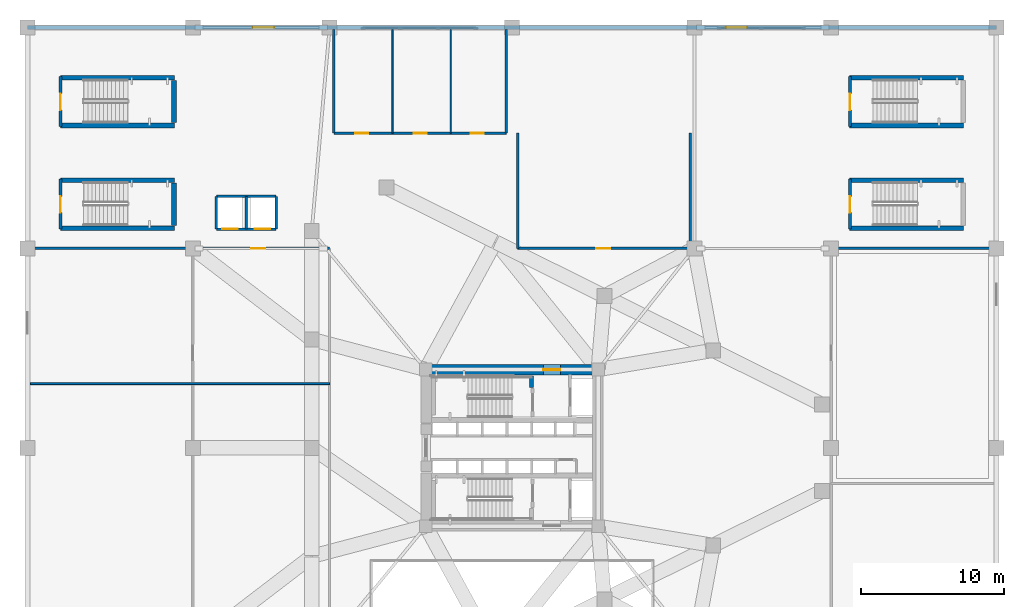
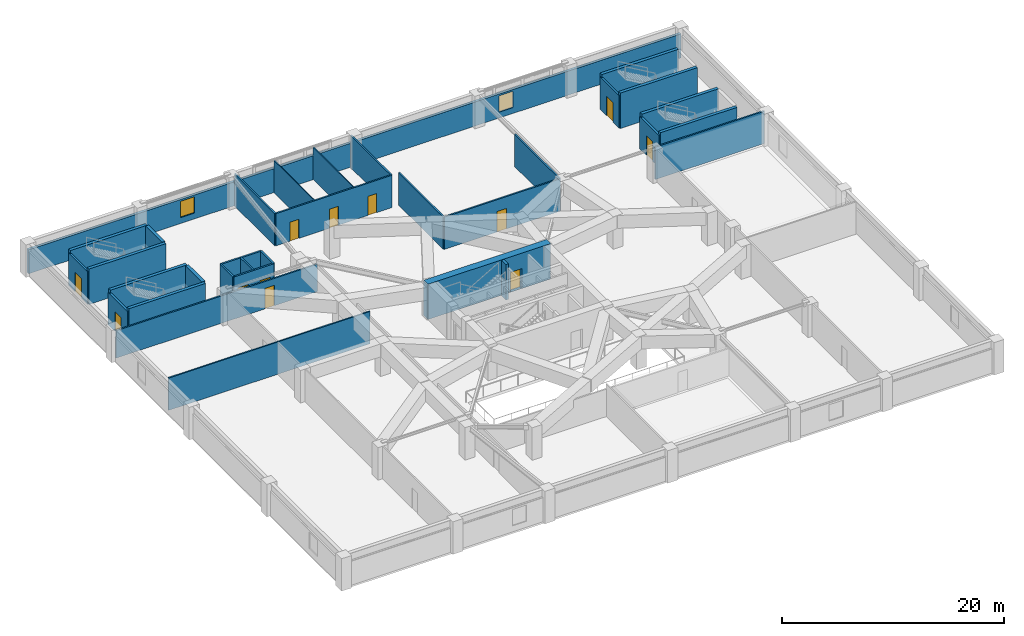
# One storey, part 7 of 16: 33 walls, 12 doors, 2 windows, 14 openings.
"""IFC4 building model written with IfcOpenShell, lengths in metres."""

from ifc_helpers import new_model, si_unit, direction, frame, frame_2d, origin, place, context, subcontext, project, spatial, rectangle, extrude, material, layer, layer_set, type_object, element, fill, save


model = new_model("IFC4")

# Units and contexts
model_context = context("Model", 3, precision=1e-05, world=origin(), true_north=direction((0.0, 1.0)))
body_context = subcontext(model_context, "Body", "Model", "MODEL_VIEW")
ifc_project = project(units=[si_unit("LENGTHUNIT", "METRE"), si_unit("AREAUNIT", "SQUARE_METRE"), si_unit("VOLUMEUNIT", "CUBIC_METRE"), si_unit("PLANEANGLEUNIT", "RADIAN"), si_unit("MASSUNIT", "GRAM", prefix="KILO")], contexts=[model_context])

# Site, building, storey
site_placement = place(None, origin())
site = spatial("IfcSite", under=ifc_project, at=site_placement, CompositionType="ELEMENT")
building_placement = place(site_placement, origin())
building = spatial("IfcBuilding", under=site, at=building_placement, Name="Yunling Apex Tower", CompositionType="ELEMENT")
storey_placement = place(building_placement, frame((0.0, 0.0, 16.199951171875)))
storey = spatial("IfcBuildingStorey", under=building, at=storey_placement, Name="L05", CompositionType="ELEMENT", Elevation=16.199951171875)

# Wall, opening, door
ifc_material_1 = material(Name="Concrete C60", Category="concrete")
ifc_layer_1 = layer(ifc_material_1, 0.75)
ifc_layer_set_1 = layer_set([ifc_layer_1], Name="Concrete C60")
wall_type_1 = type_object("IfcWallType", Name="WL-COR-1", PredefinedType="SHEAR", material=ifc_layer_set_1)
wall_1_placement = place(storey_placement, frame((-6.39990234375, 5.47509765625, 0.0), z_axis=(0.0, 0.0, 1.0), x_axis=(1.0, 0.0, 0.0)))
wall_1 = element("IfcWall", 1, at=wall_1_placement, inside=storey, type_object=wall_type_1, Name="L05 North Core Shear Wall", PredefinedType="SHEAR", context=body_context, shape_type="SweptSolid", body=[
    extrude(rectangle(XDim=12.7998046875, YDim=0.75, at=frame_2d((6.39990234375, 0.0))), origin(), (0.0, 0.0, 1.0), 3.900146484375),
])
opening_1_placement = place(wall_1_placement, frame((8.60009765625, 0.0, 0.0)))
opening_1 = element("IfcOpeningElement", 2, at=opening_1_placement, cuts=wall_1, Name="Opening DR-FFL-1", PredefinedType="OPENING", context=body_context, shape_type="SweptSolid", body=[
    extrude(rectangle(XDim=1.199951171875, YDim=2.199951171875, at=frame_2d((0.60009765625, 1.10009765625))), frame((0.0, 0.385009765625, 0.0), z_axis=(0.0, -1.0, 0.0), x_axis=(1.0, 0.0, 0.0)), (0.0, 0.0, 1.0), 0.77001953125),
])
ifc_material_2 = material(Name="Steel Q355B", Category="steel")
door_type_1 = type_object("IfcDoorType", Name="DR-FFL-1", OperationType="NOTDEFINED", PredefinedType="DOOR", material=ifc_material_2)
door_1_placement = place(opening_1_placement, origin())
door_1 = element("IfcDoor", 3, at=door_1_placement, inside=storey, type_object=door_type_1, Name="L05 North Firefighting Lobby Door", OperationType="SINGLE_SWING_LEFT", OverallHeight=2.199951171875, OverallWidth=1.199951171875, PredefinedType="DOOR", context=body_context, shape_type="SweptSolid", body=[
    extrude(rectangle(XDim=1.199951171875, YDim=2.199951171875, at=frame_2d((0.60009765625, 1.10009765625))), frame((0.0, 0.02490234375, 0.0), z_axis=(0.0, -1.0, 0.0), x_axis=(1.0, 0.0, 0.0)), (0.0, 0.0, 1.0), 0.050048828125),
])
fill(opening_1, door_1)

# Walls
ifc_material_3 = material(Name="Concrete C40", Category="concrete")
ifc_layer_2 = layer(ifc_material_3, 0.320068359375)
ifc_layer_set_2 = layer_set([ifc_layer_2], Name="Concrete C40")
wall_type_2 = type_object("IfcWallType", Name="WL-COR-7", PredefinedType="SHEAR", material=ifc_layer_set_2)
for number, where, z_axis, x_axis, name in (
    (4, (-31.699951171875, 18.780029296875, 0.0), (0.0, 0.0, 1.0), (1.0, 0.0, 0.0), "L05 STP1 North Bearing Wall"),
    (5, (-31.699951171875, 15.419921875, 0.0), (0.0, 0.0, 1.0), (1.0, 0.0, 0.0), "L05 STP1 South Bearing Wall"),
):
    element("IfcWall", number, at=place(storey_placement, frame(where, z_axis=z_axis, x_axis=x_axis)), inside=storey, type_object=wall_type_2, Name=name, PredefinedType="SHEAR", context=body_context, shape_type="SweptSolid", body=[
        extrude(rectangle(XDim=8.0, YDim=0.320068359375, at=frame_2d((4.0, 0.0))), origin(), (0.0, 0.0, 1.0), 3.900146484375),
    ])
wall_2_placement = place(storey_placement, frame((-23.719970703125, 15.6201171875, 0.0), z_axis=(0.0, 0.0, 1.0), x_axis=(0.0, 1.0, 0.0)))
element("IfcWall", 6, at=wall_2_placement, inside=storey, type_object=wall_type_2, Name="L05 STP1 Half-Landing Bearing Wall", PredefinedType="SHEAR", context=body_context, shape_type="SweptSolid", body=[
    extrude(rectangle(XDim=2.9599609375, YDim=0.320068359375, at=frame_2d((1.47998046875, 0.0))), origin(), (0.0, 0.0, 1.0), 3.900146484375),
])
for number, where, z_axis, x_axis, name in (
    (7, (23.699951171875, 18.780029296875, 0.0), (0.0, 0.0, 1.0), (1.0, 0.0, 0.0), "L05 STP2 North Bearing Wall"),
    (8, (23.699951171875, 15.419921875, 0.0), (0.0, 0.0, 1.0), (1.0, 0.0, 0.0), "L05 STP2 South Bearing Wall"),
    (9, (-31.699951171875, 25.97998046875, 0.0), (0.0, 0.0, 1.0), (1.0, 0.0, 0.0), "L05 STG1 North Bearing Wall"),
    (10, (-31.699951171875, 22.6201171875, 0.0), (0.0, 0.0, 1.0), (1.0, 0.0, 0.0), "L05 STG1 South Bearing Wall"),
):
    element("IfcWall", number, at=place(storey_placement, frame(where, z_axis=z_axis, x_axis=x_axis)), inside=storey, type_object=wall_type_2, Name=name, PredefinedType="SHEAR", context=body_context, shape_type="SweptSolid", body=[
        extrude(rectangle(XDim=8.0, YDim=0.320068359375, at=frame_2d((4.0, 0.0))), origin(), (0.0, 0.0, 1.0), 3.900146484375),
    ])
wall_3_placement = place(storey_placement, frame((-23.719970703125, 22.820068359375, 0.0), z_axis=(0.0, 0.0, 1.0), x_axis=(0.0, 1.0, 0.0)))
element("IfcWall", 11, at=wall_3_placement, inside=storey, type_object=wall_type_2, Name="L05 STG1 Half-Landing Bearing Wall", PredefinedType="SHEAR", context=body_context, shape_type="SweptSolid", body=[
    extrude(rectangle(XDim=2.9599609375, YDim=0.320068359375, at=frame_2d((1.47998046875, 0.0))), origin(), (0.0, 0.0, 1.0), 3.900146484375),
])
for number, where, z_axis, x_axis, name in (
    (12, (23.699951171875, 25.97998046875, 0.0), (0.0, 0.0, 1.0), (1.0, 0.0, 0.0), "L05 STG2 North Bearing Wall"),
    (13, (23.699951171875, 22.6201171875, 0.0), (0.0, 0.0, 1.0), (1.0, 0.0, 0.0), "L05 STG2 South Bearing Wall"),
):
    element("IfcWall", number, at=place(storey_placement, frame(where, z_axis=z_axis, x_axis=x_axis)), inside=storey, type_object=wall_type_2, Name=name, PredefinedType="SHEAR", context=body_context, shape_type="SweptSolid", body=[
        extrude(rectangle(XDim=8.0, YDim=0.320068359375, at=frame_2d((4.0, 0.0))), origin(), (0.0, 0.0, 1.0), 3.900146484375),
    ])
ifc_layer_3 = layer(ifc_material_3, 0.280029296875)
ifc_layer_set_3 = layer_set([ifc_layer_3], Name="Concrete C40")
wall_type_3 = type_object("IfcWallType", Name="WL-COR-8", PredefinedType="SHEAR", material=ifc_layer_set_3)
wall_4_placement = place(storey_placement, frame((1.3798828125, 4.25, 0.0), z_axis=(0.0, 0.0, 1.0), x_axis=(0.0, 1.0, 0.0)))
element("IfcWall", 14, at=wall_4_placement, inside=storey, type_object=wall_type_3, Name="L05 ST-1 East Landing Bearing Pier", PredefinedType="SHEAR", context=body_context, shape_type="SweptSolid", body=[
    extrude(rectangle(XDim=0.800048828125, YDim=0.280029296875, at=frame_2d((0.39990234375, 0.0))), origin(), (0.0, 0.0, 1.0), 3.900146484375),
])

# Wall, openings, windows
ifc_material_4 = material(Name="Precast concrete C40", Category="concrete")
ifc_layer_4 = layer(ifc_material_4, 0.280029296875)
ifc_layer_set_4 = layer_set([ifc_layer_4], Name="Precast concrete C40")
wall_type_4 = type_object("IfcWallType", Name="WL-EXT-2", PredefinedType="SOLIDWALL", material=ifc_layer_set_4)
wall_5_placement = place(storey_placement, frame((-34.0, 29.5, 0.0), z_axis=(0.0, 0.0, 1.0), x_axis=(1.0, 0.0, 0.0)))
wall_5 = element("IfcWall", 15, at=wall_5_placement, inside=storey, type_object=wall_type_4, Name="WL-POD-L05-N", PredefinedType="SOLIDWALL", context=body_context, shape_type="SweptSolid", body=[
    extrude(rectangle(XDim=68.0, YDim=0.280029296875, at=frame_2d((34.0, 0.0))), origin(), (0.0, 0.0, 1.0), 2.64013671875),
])
opening_2_placement = place(wall_5_placement, frame((15.800048828125, 0.0, 0.64990234375)))
opening_2 = element("IfcOpeningElement", 16, at=opening_2_placement, cuts=wall_5, Name="Opening WN-POD-3", PredefinedType="OPENING", context=body_context, shape_type="SweptSolid", body=[
    extrude(rectangle(XDim=1.5, YDim=1.800048828125, at=frame_2d((0.75, 0.89990234375))), frame((0.0, 0.14990234375, 0.0), z_axis=(0.0, -1.0, 0.0), x_axis=(1.0, 0.0, 0.0)), (0.0, 0.0, 1.0), 0.300048828125),
])
opening_3_placement = place(wall_5_placement, frame((49.0, 0.0, 0.64990234375)))
opening_3 = element("IfcOpeningElement", 17, at=opening_3_placement, cuts=wall_5, Name="Opening WN-POD-3", PredefinedType="OPENING", context=body_context, shape_type="SweptSolid", body=[
    extrude(rectangle(XDim=1.5, YDim=1.800048828125, at=frame_2d((0.75, 0.89990234375))), frame((0.0, 0.14990234375, 0.0), z_axis=(0.0, -1.0, 0.0), x_axis=(1.0, 0.0, 0.0)), (0.0, 0.0, 1.0), 0.300048828125),
])
ifc_material_5 = material(Name="Bronze tinted low-E glass", Category="glass")
window_type = type_object("IfcWindowType", Name="WN-POD-3", PartitioningType="SINGLE_PANEL", PredefinedType="WINDOW", material=ifc_material_5)
window_1_placement = place(opening_2_placement, origin())
window_1 = element("IfcWindow", 18, at=window_1_placement, inside=storey, type_object=window_type, Name="WN-L05-N-1", OverallHeight=1.800048828125, OverallWidth=1.5, PartitioningType="SINGLE_PANEL", PredefinedType="WINDOW", context=body_context, shape_type="SweptSolid", body=[
    extrude(rectangle(XDim=1.5, YDim=1.800048828125, at=frame_2d((0.75, 0.89990234375))), frame((0.0, 0.030029296875, 0.0), z_axis=(0.0, -1.0, 0.0), x_axis=(1.0, 0.0, 0.0)), (0.0, 0.0, 1.0), 0.06005859375),
])
fill(opening_2, window_1)
window_2_placement = place(opening_3_placement, origin())
window_2 = element("IfcWindow", 19, at=window_2_placement, inside=storey, type_object=window_type, Name="WN-L05-N-2", OverallHeight=1.800048828125, OverallWidth=1.5, PartitioningType="SINGLE_PANEL", PredefinedType="WINDOW", context=body_context, shape_type="SweptSolid", body=[
    extrude(rectangle(XDim=1.5, YDim=1.800048828125, at=frame_2d((0.75, 0.89990234375))), frame((0.0, 0.030029296875, 0.0), z_axis=(0.0, -1.0, 0.0), x_axis=(1.0, 0.0, 0.0)), (0.0, 0.0, 1.0), 0.06005859375),
])
fill(opening_3, window_2)

# Wall, openings, doors
ifc_material_6 = material(Name="Gypsum board acoustic partition")
ifc_layer_5 = layer(ifc_material_6, 0.159912109375)
ifc_layer_set_5 = layer_set([ifc_layer_5], Name="Gypsum board acoustic partition")
wall_type_5 = type_object("IfcWallType", Name="WL-PRT-1", PredefinedType="PARTITIONING", material=ifc_layer_set_5)
wall_6_placement = place(storey_placement, frame((-12.5, 22.080078125, 0.0), z_axis=(0.0, 0.0, 1.0), x_axis=(1.0, 0.0, 0.0)))
wall_6 = element("IfcWall", 20, at=wall_6_placement, inside=storey, type_object=wall_type_5, Name="WL-L05-WCS", PredefinedType="PARTITIONING", context=body_context, shape_type="SweptSolid", body=[
    extrude(rectangle(XDim=12.10009765625, YDim=0.159912109375, at=frame_2d((6.050048828125, 0.0))), origin(), (0.0, 0.0, 1.0), 3.56005859375),
])
opening_4_placement = place(wall_6_placement, frame((1.5, 0.0, 0.0)))
opening_4 = element("IfcOpeningElement", 21, at=opening_4_placement, cuts=wall_6, Name="Opening DR-WC-1", PredefinedType="OPENING", context=body_context, shape_type="SweptSolid", body=[
    extrude(rectangle(XDim=0.919921875, YDim=2.10009765625, at=frame_2d((0.4599609375, 1.050048828125))), frame((0.0, 0.08984375, 0.0), z_axis=(0.0, -1.0, 0.0), x_axis=(1.0, 0.0, 0.0)), (0.0, 0.0, 1.0), 0.179931640625),
])
opening_5_placement = place(wall_6_placement, frame((5.60009765625, 0.0, 0.0)))
opening_5 = element("IfcOpeningElement", 22, at=opening_5_placement, cuts=wall_6, Name="Opening DR-WC-1", PredefinedType="OPENING", context=body_context, shape_type="SweptSolid", body=[
    extrude(rectangle(XDim=0.919921875, YDim=2.10009765625, at=frame_2d((0.4599609375, 1.050048828125))), frame((0.0, 0.08984375, 0.0), z_axis=(0.0, -1.0, 0.0), x_axis=(1.0, 0.0, 0.0)), (0.0, 0.0, 1.0), 0.179931640625),
])
opening_6_placement = place(wall_6_placement, frame((9.60009765625, 0.0, 0.0)))
opening_6 = element("IfcOpeningElement", 23, at=opening_6_placement, cuts=wall_6, Name="Opening DR-WC-1", PredefinedType="OPENING", context=body_context, shape_type="SweptSolid", body=[
    extrude(rectangle(XDim=0.919921875, YDim=2.10009765625, at=frame_2d((0.4599609375, 1.050048828125))), frame((0.0, 0.08984375, 0.0), z_axis=(0.0, -1.0, 0.0), x_axis=(1.0, 0.0, 0.0)), (0.0, 0.0, 1.0), 0.179931640625),
])
ifc_material_7 = material(Name="Timber moisture-resistant leaf", Category="wood")
door_type_2 = type_object("IfcDoorType", Name="DR-WC-1", OperationType="NOTDEFINED", PredefinedType="DOOR", material=ifc_material_7)
door_2_placement = place(opening_4_placement, origin())
door_2 = element("IfcDoor", 24, at=door_2_placement, inside=storey, type_object=door_type_2, Name="L05 Male Toilet Door", OperationType="SINGLE_SWING_RIGHT", OverallHeight=2.10009765625, OverallWidth=0.919921875, PredefinedType="DOOR", context=body_context, shape_type="SweptSolid", body=[
    extrude(rectangle(XDim=0.919921875, YDim=2.10009765625, at=frame_2d((0.4599609375, 1.050048828125))), frame((0.0, 0.02490234375, 0.0), z_axis=(0.0, -1.0, 0.0), x_axis=(1.0, 0.0, 0.0)), (0.0, 0.0, 1.0), 0.050048828125),
])
fill(opening_4, door_2)
door_3_placement = place(opening_5_placement, origin())
door_3 = element("IfcDoor", 25, at=door_3_placement, inside=storey, type_object=door_type_2, Name="L05 Female Toilet Door", OperationType="SINGLE_SWING_LEFT", OverallHeight=2.10009765625, OverallWidth=0.919921875, PredefinedType="DOOR", context=body_context, shape_type="SweptSolid", body=[
    extrude(rectangle(XDim=0.919921875, YDim=2.10009765625, at=frame_2d((0.4599609375, 1.050048828125))), frame((0.0, 0.02490234375, 0.0), z_axis=(0.0, -1.0, 0.0), x_axis=(1.0, 0.0, 0.0)), (0.0, 0.0, 1.0), 0.050048828125),
])
fill(opening_5, door_3)
door_4_placement = place(opening_6_placement, origin())
door_4 = element("IfcDoor", 26, at=door_4_placement, inside=storey, type_object=door_type_2, Name="L05 Accessible WC Door", OperationType="SINGLE_SWING_RIGHT", OverallHeight=2.10009765625, OverallWidth=0.919921875, PredefinedType="DOOR", context=body_context, shape_type="SweptSolid", body=[
    extrude(rectangle(XDim=0.919921875, YDim=2.10009765625, at=frame_2d((0.4599609375, 1.050048828125))), frame((0.0, 0.02490234375, 0.0), z_axis=(0.0, -1.0, 0.0), x_axis=(1.0, 0.0, 0.0)), (0.0, 0.0, 1.0), 0.050048828125),
])
fill(opening_6, door_4)

# Walls
for number, where, z_axis, x_axis, name in (
    (27, (-12.5, 22.080078125, 0.0), (0.0, 0.0, 1.0), (0.0, 1.0, 0.0), "WL-L05-WCW"),
    (28, (-0.39990234375, 22.080078125, 0.0), (0.0, 0.0, 1.0), (0.0, 1.0, 0.0), "WL-L05-WCE"),
):
    element("IfcWall", number, at=place(storey_placement, frame(where, z_axis=z_axis, x_axis=x_axis)), inside=storey, type_object=wall_type_5, Name=name, PredefinedType="PARTITIONING", context=body_context, shape_type="SweptSolid", body=[
        extrude(rectangle(XDim=7.27001953125, YDim=0.159912109375, at=frame_2d((3.635009765625, 0.0))), origin(), (0.0, 0.0, 1.0), 3.56005859375),
    ])

# Wall, opening, door
wall_7_placement = place(storey_placement, frame((-33.800048828125, 14.0, 0.0), z_axis=(0.0, 0.0, 1.0), x_axis=(1.0, 0.0, 0.0)))
wall_7 = element("IfcWall", 29, at=wall_7_placement, inside=storey, type_object=wall_type_5, Name="WL-L05-WN", PredefinedType="PARTITIONING", context=body_context, shape_type="SweptSolid", body=[
    extrude(rectangle(XDim=21.0, YDim=0.159912109375, at=frame_2d((10.5, 0.0))), origin(), (0.0, 0.0, 1.0), 3.01513671875),
])
opening_7_placement = place(wall_7_placement, frame((15.5, 0.0, 0.0)))
opening_7 = element("IfcOpeningElement", 30, at=opening_7_placement, cuts=wall_7, Name="Opening DR-OFF-1", PredefinedType="OPENING", context=body_context, shape_type="SweptSolid", body=[
    extrude(rectangle(XDim=1.0, YDim=2.25, at=frame_2d((0.5, 1.125))), frame((0.0, 0.08984375, 0.0), z_axis=(0.0, -1.0, 0.0), x_axis=(1.0, 0.0, 0.0)), (0.0, 0.0, 1.0), 0.179931640625),
])
ifc_material_8 = material(Name="Bronze anodised aluminium", Category="aluminium")
door_type_3 = type_object("IfcDoorType", Name="DR-OFF-1", OperationType="NOTDEFINED", PredefinedType="DOOR", material=ifc_material_8)
door_5_placement = place(opening_7_placement, origin())
door_5 = element("IfcDoor", 31, at=door_5_placement, inside=storey, type_object=door_type_3, Name="L05 Private Banquet Dining Hall Door", OperationType="SINGLE_SWING_RIGHT", OverallHeight=2.25, OverallWidth=1.0, PredefinedType="DOOR", context=body_context, shape_type="SweptSolid", body=[
    extrude(rectangle(XDim=1.0, YDim=2.25, at=frame_2d((0.5, 1.125))), frame((0.0, 0.02490234375, 0.0), z_axis=(0.0, -1.0, 0.0), x_axis=(1.0, 0.0, 0.0)), (0.0, 0.0, 1.0), 0.050048828125),
])
fill(opening_7, door_5)

# Wall
wall_8_placement = place(storey_placement, frame((22.39990234375, 14.0, 0.0), z_axis=(0.0, 0.0, 1.0), x_axis=(1.0, 0.0, 0.0)))
element("IfcWall", 32, at=wall_8_placement, inside=storey, type_object=wall_type_5, Name="WL-L05-EN", PredefinedType="PARTITIONING", context=body_context, shape_type="SweptSolid", body=[
    extrude(rectangle(XDim=11.400146484375, YDim=0.159912109375, at=frame_2d((5.7001953125, 0.0))), origin(), (0.0, 0.0, 1.0), 3.56005859375),
])

# Wall, opening, door
wall_9_placement = place(storey_placement, frame((0.39990234375, 14.0, 0.0), z_axis=(0.0, 0.0, 1.0), x_axis=(1.0, 0.0, 0.0)))
wall_9 = element("IfcWall", 33, at=wall_9_placement, inside=storey, type_object=wall_type_5, Name="WL-L05-NCS", PredefinedType="PARTITIONING", context=body_context, shape_type="SweptSolid", body=[
    extrude(rectangle(XDim=12.10009765625, YDim=0.159912109375, at=frame_2d((6.050048828125, 0.0))), origin(), (0.0, 0.0, 1.0), 3.56005859375),
])
opening_8_placement = place(wall_9_placement, frame((5.5, 0.0, 0.0)))
opening_8 = element("IfcOpeningElement", 34, at=opening_8_placement, cuts=wall_9, Name="Opening DR-OFF-1", PredefinedType="OPENING", context=body_context, shape_type="SweptSolid", body=[
    extrude(rectangle(XDim=1.0, YDim=2.25, at=frame_2d((0.5, 1.125))), frame((0.0, 0.08984375, 0.0), z_axis=(0.0, -1.0, 0.0), x_axis=(1.0, 0.0, 0.0)), (0.0, 0.0, 1.0), 0.179931640625),
])
door_6_placement = place(opening_8_placement, origin())
door_6 = element("IfcDoor", 35, at=door_6_placement, inside=storey, type_object=door_type_3, Name="L05 North Suite Door", OperationType="SINGLE_SWING_LEFT", OverallHeight=2.25, OverallWidth=1.0, PredefinedType="DOOR", context=body_context, shape_type="SweptSolid", body=[
    extrude(rectangle(XDim=1.0, YDim=2.25, at=frame_2d((0.5, 1.125))), frame((0.0, 0.02490234375, 0.0), z_axis=(0.0, -1.0, 0.0), x_axis=(1.0, 0.0, 0.0)), (0.0, 0.0, 1.0), 0.050048828125),
])
fill(opening_8, door_6)

# Walls
for number, where, z_axis, x_axis, name in (
    (36, (0.39990234375, 14.0, 0.0), (0.0, 0.0, 1.0), (0.0, 1.0, 0.0), "WL-L05-NCW"),
    (37, (12.5, 14.0, 0.0), (0.0, 0.0, 1.0), (0.0, 1.0, 0.0), "WL-L05-NCE"),
):
    element("IfcWall", number, at=place(storey_placement, frame(where, z_axis=z_axis, x_axis=x_axis)), inside=storey, type_object=wall_type_5, Name=name, PredefinedType="PARTITIONING", context=body_context, shape_type="SweptSolid", body=[
        extrude(rectangle(XDim=8.080078125, YDim=0.159912109375, at=frame_2d((4.0400390625, 0.0))), origin(), (0.0, 0.0, 1.0), 3.56005859375),
    ])
ifc_layer_6 = layer(ifc_material_6, 0.139892578125)
ifc_layer_set_6 = layer_set([ifc_layer_6], Name="Gypsum board acoustic partition")
wall_type_6 = type_object("IfcWallType", Name="WL-PRT-2", PredefinedType="PARTITIONING", material=ifc_layer_set_6)
wall_10_placement = place(storey_placement, frame((-33.800048828125, 4.5, 0.0), z_axis=(0.0, 0.0, 1.0), x_axis=(1.0, 0.0, 0.0)))
element("IfcWall", 38, at=wall_10_placement, inside=storey, type_object=wall_type_6, Name="WL-L05-WM", PredefinedType="PARTITIONING", context=body_context, shape_type="SweptSolid", body=[
    extrude(rectangle(XDim=21.0, YDim=0.139892578125, at=frame_2d((10.5, 0.0))), origin(), (0.0, 0.0, 1.0), 3.56005859375),
])
ifc_layer_7 = layer(ifc_material_6, 0.10009765625)
ifc_layer_set_7 = layer_set([ifc_layer_7], Name="Gypsum board acoustic partition")
wall_type_7 = type_object("IfcWallType", Name="WL-PRT-4", PredefinedType="PARTITIONING", material=ifc_layer_set_7)
for number, where, z_axis, x_axis, name in (
    (39, (-8.39990234375, 22.080078125, 0.0), (0.0, 0.0, 1.0), (0.0, 1.0, 0.0), "WL-L05-WCD1"),
    (40, (-4.300048828125, 22.080078125, 0.0), (0.0, 0.0, 1.0), (0.0, 1.0, 0.0), "WL-L05-WCD2"),
):
    element("IfcWall", number, at=place(storey_placement, frame(where, z_axis=z_axis, x_axis=x_axis)), inside=storey, type_object=wall_type_7, Name=name, PredefinedType="PARTITIONING", context=body_context, shape_type="SweptSolid", body=[
        extrude(rectangle(XDim=7.27001953125, YDim=0.10009765625, at=frame_2d((3.635009765625, 0.0))), origin(), (0.0, 0.0, 1.0), 3.56005859375),
    ])

# Wall, opening, door
ifc_material_9 = material(Name="Autoclaved aerated concrete masonry", Category="masonry")
ifc_layer_8 = layer(ifc_material_9, 0.219970703125)
ifc_layer_set_8 = layer_set([ifc_layer_8], Name="Autoclaved aerated concrete masonry")
wall_type_8 = type_object("IfcWallType", Name="WL-SHF-1", PredefinedType="PLUMBINGWALL", material=ifc_layer_set_8)
wall_11_placement = place(storey_placement, frame((-31.679931640625, 15.35009765625, 0.0), z_axis=(0.0, 0.0, 1.0), x_axis=(0.0, 1.0, 0.0)))
wall_11 = element("IfcWall", 41, at=wall_11_placement, inside=storey, type_object=wall_type_8, Name="WL-STP1-W-L05", PredefinedType="PLUMBINGWALL", context=body_context, shape_type="SweptSolid", body=[
    extrude(rectangle(XDim=3.5, YDim=0.219970703125, at=frame_2d((1.75, 0.0))), origin(), (0.0, 0.0, 1.0), 3.56005859375),
])
opening_9_placement = place(wall_11_placement, frame((1.14990234375, 0.0, 0.0)))
opening_9 = element("IfcOpeningElement", 42, at=opening_9_placement, cuts=wall_11, Name="Opening DR-ST-1", PredefinedType="OPENING", context=body_context, shape_type="SweptSolid", body=[
    extrude(rectangle(XDim=1.14990234375, YDim=2.14990234375, at=frame_2d((0.574951171875, 1.074951171875))), frame((0.0, 0.1201171875, 0.0), z_axis=(0.0, -1.0, 0.0), x_axis=(1.0, 0.0, 0.0)), (0.0, 0.0, 1.0), 0.239990234375),
])
door_type_4 = type_object("IfcDoorType", Name="DR-ST-1", OperationType="NOTDEFINED", PredefinedType="DOOR", material=ifc_material_2)
door_7_placement = place(opening_9_placement, origin())
door_7 = element("IfcDoor", 43, at=door_7_placement, inside=storey, type_object=door_type_4, Name="L05 Stair ST-P1 Door", OperationType="SINGLE_SWING_RIGHT", OverallHeight=2.14990234375, OverallWidth=1.14990234375, PredefinedType="DOOR", context=body_context, shape_type="SweptSolid", body=[
    extrude(rectangle(XDim=1.14990234375, YDim=2.14990234375, at=frame_2d((0.574951171875, 1.074951171875))), frame((0.0, 0.02490234375, 0.0), z_axis=(0.0, -1.0, 0.0), x_axis=(1.0, 0.0, 0.0)), (0.0, 0.0, 1.0), 0.050048828125),
])
fill(opening_9, door_7)

wall_12_placement = place(storey_placement, frame((23.719970703125, 15.35009765625, 0.0), z_axis=(0.0, 0.0, 1.0), x_axis=(0.0, 1.0, 0.0)))
wall_12 = element("IfcWall", 44, at=wall_12_placement, inside=storey, type_object=wall_type_8, Name="WL-STP2-W-L05", PredefinedType="PLUMBINGWALL", context=body_context, shape_type="SweptSolid", body=[
    extrude(rectangle(XDim=3.5, YDim=0.219970703125, at=frame_2d((1.75, 0.0))), origin(), (0.0, 0.0, 1.0), 3.56005859375),
])
opening_10_placement = place(wall_12_placement, frame((1.14990234375, 0.0, 0.0)))
opening_10 = element("IfcOpeningElement", 45, at=opening_10_placement, cuts=wall_12, Name="Opening DR-ST-1", PredefinedType="OPENING", context=body_context, shape_type="SweptSolid", body=[
    extrude(rectangle(XDim=1.14990234375, YDim=2.14990234375, at=frame_2d((0.574951171875, 1.074951171875))), frame((0.0, 0.1201171875, 0.0), z_axis=(0.0, -1.0, 0.0), x_axis=(1.0, 0.0, 0.0)), (0.0, 0.0, 1.0), 0.239990234375),
])
door_8_placement = place(opening_10_placement, origin())
door_8 = element("IfcDoor", 46, at=door_8_placement, inside=storey, type_object=door_type_4, Name="L05 Stair ST-P2 Door", OperationType="SINGLE_SWING_LEFT", OverallHeight=2.14990234375, OverallWidth=1.14990234375, PredefinedType="DOOR", context=body_context, shape_type="SweptSolid", body=[
    extrude(rectangle(XDim=1.14990234375, YDim=2.14990234375, at=frame_2d((0.574951171875, 1.074951171875))), frame((0.0, 0.02490234375, 0.0), z_axis=(0.0, -1.0, 0.0), x_axis=(1.0, 0.0, 0.0)), (0.0, 0.0, 1.0), 0.050048828125),
])
fill(opening_10, door_8)

wall_13_placement = place(storey_placement, frame((-31.679931640625, 22.550048828125, 0.0), z_axis=(0.0, 0.0, 1.0), x_axis=(0.0, 1.0, 0.0)))
wall_13 = element("IfcWall", 47, at=wall_13_placement, inside=storey, type_object=wall_type_8, Name="WL-STG1-W-L05", PredefinedType="PLUMBINGWALL", context=body_context, shape_type="SweptSolid", body=[
    extrude(rectangle(XDim=3.5, YDim=0.219970703125, at=frame_2d((1.75, 0.0))), origin(), (0.0, 0.0, 1.0), 3.56005859375),
])
opening_11_placement = place(wall_13_placement, frame((1.14990234375, 0.0, 0.0)))
opening_11 = element("IfcOpeningElement", 48, at=opening_11_placement, cuts=wall_13, Name="Opening DR-ST-1", PredefinedType="OPENING", context=body_context, shape_type="SweptSolid", body=[
    extrude(rectangle(XDim=1.14990234375, YDim=2.14990234375, at=frame_2d((0.574951171875, 1.074951171875))), frame((0.0, 0.1201171875, 0.0), z_axis=(0.0, -1.0, 0.0), x_axis=(1.0, 0.0, 0.0)), (0.0, 0.0, 1.0), 0.239990234375),
])
door_9_placement = place(opening_11_placement, origin())
door_9 = element("IfcDoor", 49, at=door_9_placement, inside=storey, type_object=door_type_4, Name="L05 Garden Stair ST-G1 Door", OperationType="SINGLE_SWING_RIGHT", OverallHeight=2.14990234375, OverallWidth=1.14990234375, PredefinedType="DOOR", context=body_context, shape_type="SweptSolid", body=[
    extrude(rectangle(XDim=1.14990234375, YDim=2.14990234375, at=frame_2d((0.574951171875, 1.074951171875))), frame((0.0, 0.02490234375, 0.0), z_axis=(0.0, -1.0, 0.0), x_axis=(1.0, 0.0, 0.0)), (0.0, 0.0, 1.0), 0.050048828125),
])
fill(opening_11, door_9)

wall_14_placement = place(storey_placement, frame((23.719970703125, 22.550048828125, 0.0), z_axis=(0.0, 0.0, 1.0), x_axis=(0.0, 1.0, 0.0)))
wall_14 = element("IfcWall", 50, at=wall_14_placement, inside=storey, type_object=wall_type_8, Name="WL-STG2-W-L05", PredefinedType="PLUMBINGWALL", context=body_context, shape_type="SweptSolid", body=[
    extrude(rectangle(XDim=3.5, YDim=0.219970703125, at=frame_2d((1.75, 0.0))), origin(), (0.0, 0.0, 1.0), 3.56005859375),
])
opening_12_placement = place(wall_14_placement, frame((1.14990234375, 0.0, 0.0)))
opening_12 = element("IfcOpeningElement", 51, at=opening_12_placement, cuts=wall_14, Name="Opening DR-ST-1", PredefinedType="OPENING", context=body_context, shape_type="SweptSolid", body=[
    extrude(rectangle(XDim=1.14990234375, YDim=2.14990234375, at=frame_2d((0.574951171875, 1.074951171875))), frame((0.0, 0.1201171875, 0.0), z_axis=(0.0, -1.0, 0.0), x_axis=(1.0, 0.0, 0.0)), (0.0, 0.0, 1.0), 0.239990234375),
])
door_10_placement = place(opening_12_placement, origin())
door_10 = element("IfcDoor", 52, at=door_10_placement, inside=storey, type_object=door_type_4, Name="L05 Garden Stair ST-G2 Door", OperationType="SINGLE_SWING_LEFT", OverallHeight=2.14990234375, OverallWidth=1.14990234375, PredefinedType="DOOR", context=body_context, shape_type="SweptSolid", body=[
    extrude(rectangle(XDim=1.14990234375, YDim=2.14990234375, at=frame_2d((0.574951171875, 1.074951171875))), frame((0.0, 0.02490234375, 0.0), z_axis=(0.0, -1.0, 0.0), x_axis=(1.0, 0.0, 0.0)), (0.0, 0.0, 1.0), 0.050048828125),
])
fill(opening_12, door_10)

# Wall, openings, doors
ifc_layer_9 = layer(ifc_material_9, 0.179931640625)
ifc_layer_set_9 = layer_set([ifc_layer_9], Name="Autoclaved aerated concrete masonry")
wall_type_9 = type_object("IfcWallType", Name="WL-SHF-2", PredefinedType="PLUMBINGWALL", material=ifc_layer_set_9)
wall_15_placement = place(storey_placement, frame((-20.75, 15.35009765625, 0.0), z_axis=(0.0, 0.0, 1.0), x_axis=(1.0, 0.0, 0.0)))
wall_15 = element("IfcWall", 53, at=wall_15_placement, inside=storey, type_object=wall_type_9, Name="WL-PLP-S-L05", PredefinedType="PLUMBINGWALL", context=body_context, shape_type="SweptSolid", body=[
    extrude(rectangle(XDim=4.199951171875, YDim=0.179931640625, at=frame_2d((2.10009765625, 0.0))), origin(), (0.0, 0.0, 1.0), 3.56005859375),
])
opening_13_placement = place(wall_15_placement, frame((0.39990234375, 0.0, 0.0)))
opening_13 = element("IfcOpeningElement", 54, at=opening_13_placement, cuts=wall_15, Name="Opening LD-PAS-1", PredefinedType="OPENING", context=body_context, shape_type="SweptSolid", body=[
    extrude(rectangle(XDim=1.10009765625, YDim=2.199951171875, at=frame_2d((0.550048828125, 1.10009765625))), frame((0.0, 0.10009765625, 0.0), z_axis=(0.0, -1.0, 0.0), x_axis=(1.0, 0.0, 0.0)), (0.0, 0.0, 1.0), 0.199951171875),
])
opening_14_placement = place(wall_15_placement, frame((2.699951171875, 0.0, 0.0)))
opening_14 = element("IfcOpeningElement", 55, at=opening_14_placement, cuts=wall_15, Name="Opening LD-PAS-1", PredefinedType="OPENING", context=body_context, shape_type="SweptSolid", body=[
    extrude(rectangle(XDim=1.10009765625, YDim=2.199951171875, at=frame_2d((0.550048828125, 1.10009765625))), frame((0.0, 0.10009765625, 0.0), z_axis=(0.0, -1.0, 0.0), x_axis=(1.0, 0.0, 0.0)), (0.0, 0.0, 1.0), 0.199951171875),
])
ifc_material_10 = material(Name="Silver anodised aluminium", Category="aluminium")
door_type_5 = type_object("IfcDoorType", Name="LD-PAS-1", OperationType="DOUBLE_DOOR_SLIDING", PredefinedType="DOOR", material=ifc_material_10)
door_11_placement = place(opening_13_placement, origin())
door_11 = element("IfcDoor", 56, at=door_11_placement, inside=storey, type_object=door_type_5, Name="L05 Lift PL-P1 Landing Door", OperationType="DOUBLE_DOOR_SLIDING", OverallHeight=2.199951171875, OverallWidth=1.10009765625, PredefinedType="DOOR", context=body_context, shape_type="SweptSolid", body=[
    extrude(rectangle(XDim=1.10009765625, YDim=2.199951171875, at=frame_2d((0.550048828125, 1.10009765625))), frame((0.0, 0.02490234375, 0.0), z_axis=(0.0, -1.0, 0.0), x_axis=(1.0, 0.0, 0.0)), (0.0, 0.0, 1.0), 0.050048828125),
])
fill(opening_13, door_11)
door_12_placement = place(opening_14_placement, origin())
door_12 = element("IfcDoor", 57, at=door_12_placement, inside=storey, type_object=door_type_5, Name="L05 Lift PL-P2 Landing Door", OperationType="DOUBLE_DOOR_SLIDING", OverallHeight=2.199951171875, OverallWidth=1.10009765625, PredefinedType="DOOR", context=body_context, shape_type="SweptSolid", body=[
    extrude(rectangle(XDim=1.10009765625, YDim=2.199951171875, at=frame_2d((0.550048828125, 1.10009765625))), frame((0.0, 0.02490234375, 0.0), z_axis=(0.0, -1.0, 0.0), x_axis=(1.0, 0.0, 0.0)), (0.0, 0.0, 1.0), 0.050048828125),
])
fill(opening_14, door_12)

# Walls
wall_16_placement = place(storey_placement, frame((-20.75, 17.64990234375, 0.0), z_axis=(0.0, 0.0, 1.0), x_axis=(1.0, 0.0, 0.0)))
element("IfcWall", 58, at=wall_16_placement, inside=storey, type_object=wall_type_9, Name="WL-PLP-N-L05", PredefinedType="PLUMBINGWALL", context=body_context, shape_type="SweptSolid", body=[
    extrude(rectangle(XDim=4.199951171875, YDim=0.179931640625, at=frame_2d((2.10009765625, 0.0))), origin(), (0.0, 0.0, 1.0), 3.56005859375),
])
for number, where, z_axis, x_axis, name in (
    (59, (-20.75, 15.35009765625, 0.0), (0.0, 0.0, 1.0), (0.0, 1.0, 0.0), "WL-PLP-W-L05"),
    (60, (-18.64990234375, 15.35009765625, 0.0), (0.0, 0.0, 1.0), (0.0, 1.0, 0.0), "WL-PLP-M-L05"),
    (61, (-16.550048828125, 15.35009765625, 0.0), (0.0, 0.0, 1.0), (0.0, 1.0, 0.0), "WL-PLP-E-L05"),
):
    element("IfcWall", number, at=place(storey_placement, frame(where, z_axis=z_axis, x_axis=x_axis)), inside=storey, type_object=wall_type_9, Name=name, PredefinedType="PLUMBINGWALL", context=body_context, shape_type="SweptSolid", body=[
        extrude(rectangle(XDim=2.2998046875, YDim=0.179931640625, at=frame_2d((1.14990234375, 0.0))), origin(), (0.0, 0.0, 1.0), 3.56005859375),
    ])

save(model, "model.ifc")
